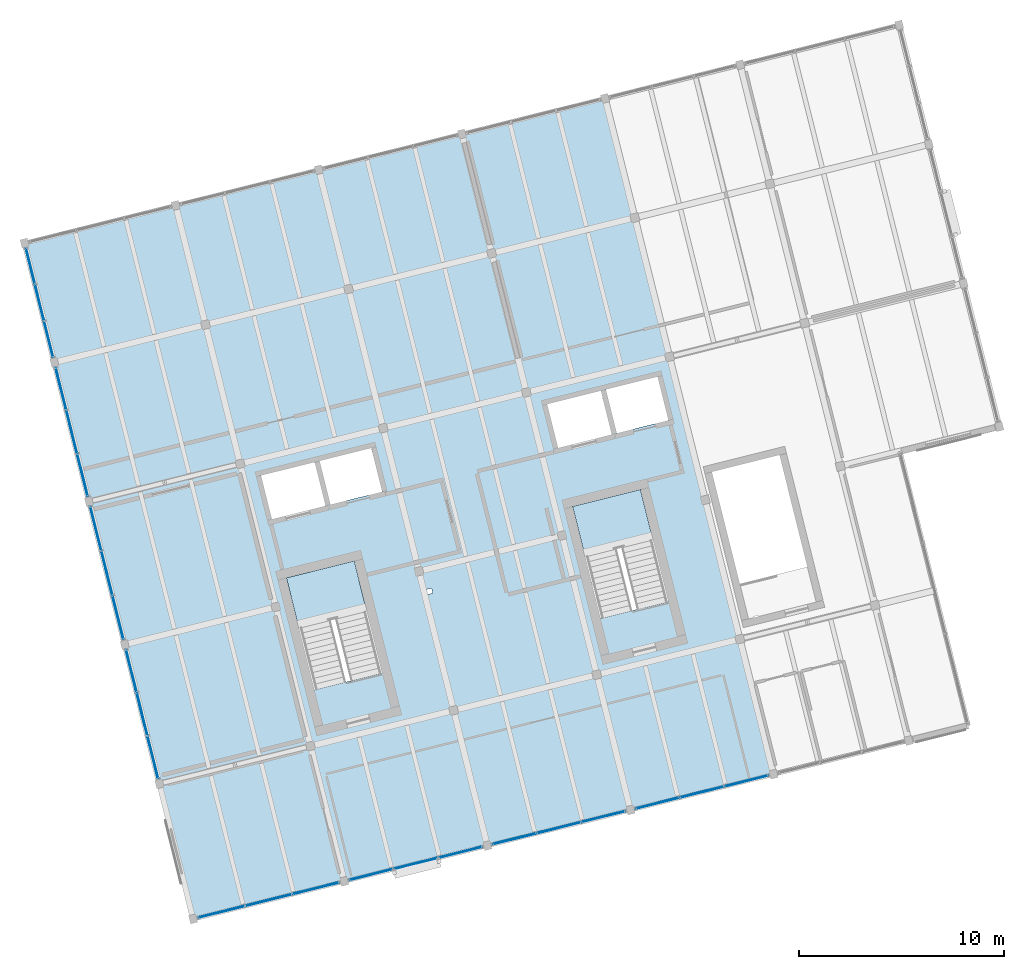
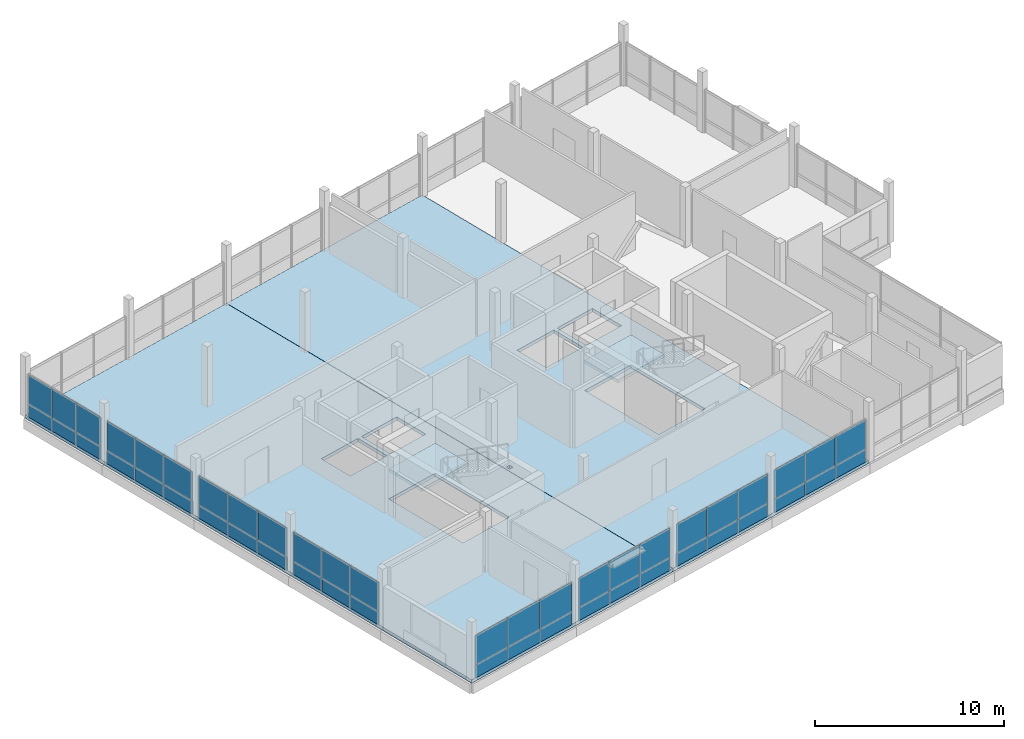
# One storey, part 23 of 28: 48 plates, 4 slabs, 10 elements without a shape of their own.
"""IFC4 building model written with IfcOpenShell, lengths in metres."""

from ifc_helpers import new_model, si_unit, direction, frame, origin, origin_2d, place, context, subcontext, project, spatial, polyline, rectangle, outline, extrude, material, layer, layer_set, type_object, element, aggregate, save


model = new_model("IFC4")

# Units and contexts
model_context = context("Model", 3, precision=1e-05, world=origin(), true_north=direction((0.0, 1.0)))
body_context = subcontext(model_context, "Body", "Model", "MODEL_VIEW")
ifc_project = project(units=[si_unit("LENGTHUNIT", "METRE"), si_unit("AREAUNIT", "SQUARE_METRE"), si_unit("VOLUMEUNIT", "CUBIC_METRE"), si_unit("PLANEANGLEUNIT", "RADIAN"), si_unit("MASSUNIT", "GRAM", prefix="KILO")], contexts=[model_context])

# Site, building, storey
site_placement = place(None, origin())
site = spatial("IfcSite", under=ifc_project, at=site_placement, CompositionType="ELEMENT")
building_placement = place(site_placement, origin())
building = spatial("IfcBuilding", under=site, at=building_placement, Name="Meriwether Solvik Hall", CompositionType="ELEMENT")
storey_placement = place(building_placement, frame((0.0, 0.0, 30.0)))
storey = spatial("IfcBuildingStorey", under=building, at=storey_placement, Name="L07", CompositionType="ELEMENT", Elevation=30.0)

# Curtain wall, plates
ifc_material_1 = material(Name="Thermally Broken Anodised Aluminium 6063-T6 and Low-E Glass", Category="aluminium")
ifc_layer_1 = layer(ifc_material_1, 0.179931640625)
ifc_layer_set_1 = layer_set([ifc_layer_1], Name="Thermally Broken Anodised Aluminium 6063-T6 and Low-E Glass")
curtain_wall_type_1 = type_object("IfcCurtainWallType", Name="CW-UNIT-A", PredefinedType="USERDEFINED", material=ifc_layer_set_1)
curtain_wall_1_placement = place(storey_placement, origin())
curtain_wall_1 = element("IfcCurtainWall", 1, at=curtain_wall_1_placement, inside=storey, type_object=curtain_wall_type_1, Name="Curtain Wall E0_B3 (L07)", ObjectType="UNITISED CURTAIN WALL", PredefinedType="USERDEFINED")
ifc_material_2 = material(Name="Low-Emissivity Double-Glazed Laminated Glass", Category="glass")
ifc_layer_2 = layer(ifc_material_2, 0.031982421875)
ifc_layer_set_2 = layer_set([ifc_layer_2], Name="Low-Emissivity Double-Glazed Laminated Glass")
plate_type_1 = type_object("IfcPlateType", Name="PLT-GLZ-180X185", PredefinedType="CURTAIN_PANEL", material=ifc_layer_set_2)
plate_1_placement = place(storey_placement, frame((95.606201171875, 47.933349609375, 0.8369140625), z_axis=(0.0, 0.0, 1.0), x_axis=(-0.970295703518, -0.241921986879, 0.0)))
plate_1 = element("IfcPlate", 2, at=plate_1_placement, type_object=plate_type_1, Name="Low-E Vision Glazing Panel 1", PredefinedType="CURTAIN_PANEL", context=body_context, shape_type="SweptSolid", body=[
    extrude(rectangle(XDim=2.2060546875, YDim=0.033935546875, at=origin_2d()), origin(), (0.0, 0.0, 1.0), 1.89306640625),
])
plate_2_placement = place(storey_placement, frame((93.439453125, 47.393310546875, 0.8369140625), z_axis=(0.0, 0.0, 1.0), x_axis=(-0.970295703518, -0.241921986879, 0.0)))
plate_2 = element("IfcPlate", 3, at=plate_2_placement, type_object=plate_type_1, Name="Low-E Vision Glazing Panel 2", PredefinedType="CURTAIN_PANEL", context=body_context, shape_type="SweptSolid", body=[
    extrude(rectangle(XDim=2.243896484375, YDim=0.033935546875, at=origin_2d()), origin(), (0.0, 0.0, 1.0), 1.89306640625),
])
plate_3_placement = place(storey_placement, frame((91.27294921875, 46.85302734375, 0.8369140625), z_axis=(0.0, 0.0, 1.0), x_axis=(-0.970295703518, -0.241921986879, 0.0)))
plate_3 = element("IfcPlate", 4, at=plate_3_placement, type_object=plate_type_1, Name="Low-E Vision Glazing Panel 3", PredefinedType="CURTAIN_PANEL", context=body_context, shape_type="SweptSolid", body=[
    extrude(rectangle(XDim=2.2060546875, YDim=0.033935546875, at=origin_2d()), origin(), (0.0, 0.0, 1.0), 1.89306640625),
])

ifc_material_3 = material(Name="Thermally Broken Anodised Aluminium 6063-T6 and Low-E Glass", Category="aluminium")
ifc_layer_3 = layer(ifc_material_3, 0.179931640625)
ifc_layer_set_3 = layer_set([ifc_layer_3], Name="Thermally Broken Anodised Aluminium 6063-T6 and Low-E Glass")
curtain_wall_type_2 = type_object("IfcCurtainWallType", Name="CW-UNIT-F", PredefinedType="USERDEFINED", material=ifc_layer_set_3)
curtain_wall_2_placement = place(storey_placement, origin())
curtain_wall_2 = element("IfcCurtainWall", 5, at=curtain_wall_2_placement, inside=storey, type_object=curtain_wall_type_2, Name="Curtain Wall E5_B3 (L07)", ObjectType="UNITISED CURTAIN WALL", PredefinedType="USERDEFINED")
plate_4_placement = place(storey_placement, frame((63.197021484375, 62.870361328125, 0.8369140625), z_axis=(0.0, 0.0, 1.0), x_axis=(-0.241921895312, 0.970295726348, 0.0)))
plate_4 = element("IfcPlate", 6, at=plate_4_placement, type_object=plate_type_1, Name="Low-E Vision Glazing Panel 1", PredefinedType="CURTAIN_PANEL", context=body_context, shape_type="SweptSolid", body=[
    extrude(rectangle(XDim=2.139404296875, YDim=0.033935546875, at=origin_2d()), origin(), (0.0, 0.0, 1.0), 1.89306640625),
])
plate_5_placement = place(storey_placement, frame((62.6728515625, 64.97216796875, 0.8369140625), z_axis=(0.0, 0.0, 1.0), x_axis=(-0.241921895312, 0.970295726348, 0.0)))
plate_5 = element("IfcPlate", 7, at=plate_5_placement, type_object=plate_type_1, Name="Low-E Vision Glazing Panel 2", PredefinedType="CURTAIN_PANEL", context=body_context, shape_type="SweptSolid", body=[
    extrude(rectangle(XDim=2.17724609375, YDim=0.033935546875, at=origin_2d()), origin(), (0.0, 0.0, 1.0), 1.89306640625),
])
plate_6_placement = place(storey_placement, frame((62.14892578125, 67.07421875, 0.8369140625), z_axis=(0.0, 0.0, 1.0), x_axis=(-0.241921895312, 0.970295726348, 0.0)))
plate_6 = element("IfcPlate", 8, at=plate_6_placement, type_object=plate_type_1, Name="Low-E Vision Glazing Panel 3", PredefinedType="CURTAIN_PANEL", context=body_context, shape_type="SweptSolid", body=[
    extrude(rectangle(XDim=2.139404296875, YDim=0.033935546875, at=origin_2d()), origin(), (0.0, 0.0, 1.0), 1.89306640625),
])

ifc_material_4 = material(Name="Thermally Broken Anodised Aluminium 6063-T6 and Low-E Glass", Category="aluminium")
ifc_layer_4 = layer(ifc_material_4, 0.179931640625)
ifc_layer_set_4 = layer_set([ifc_layer_4], Name="Thermally Broken Anodised Aluminium 6063-T6 and Low-E Glass")
curtain_wall_type_3 = type_object("IfcCurtainWallType", Name="CW-UNIT-G", PredefinedType="USERDEFINED", material=ifc_layer_set_4)
curtain_wall_3_placement = place(storey_placement, origin())
curtain_wall_3 = element("IfcCurtainWall", 9, at=curtain_wall_3_placement, inside=storey, type_object=curtain_wall_type_3, Name="Curtain Wall E0_B2 (L07)", ObjectType="UNITISED CURTAIN WALL", PredefinedType="USERDEFINED")
ifc_material_5 = material(Name="Low-Emissivity Double-Glazed Laminated Glass", Category="glass")
ifc_layer_5 = layer(ifc_material_5, 0.031982421875)
ifc_layer_set_5 = layer_set([ifc_layer_5], Name="Low-Emissivity Double-Glazed Laminated Glass")
plate_type_2 = type_object("IfcPlateType", Name="PLT-GLZ-195X185", PredefinedType="CURTAIN_PANEL", material=ifc_layer_set_5)
plate_7_placement = place(storey_placement, frame((88.6201171875, 46.191650390625, 0.8369140625), z_axis=(0.0, 0.0, 1.0), x_axis=(-0.970295738259, -0.241921847539, 0.0)))
plate_7 = element("IfcPlate", 10, at=plate_7_placement, type_object=plate_type_2, Name="Low-E Vision Glazing Panel 1", PredefinedType="CURTAIN_PANEL", context=body_context, shape_type="SweptSolid", body=[
    extrude(rectangle(XDim=2.2060546875, YDim=0.033935546875, at=origin_2d()), origin(), (0.0, 0.0, 1.0), 1.89306640625),
])
plate_8_placement = place(storey_placement, frame((86.453369140625, 45.6513671875, 0.8369140625), z_axis=(0.0, 0.0, 1.0), x_axis=(-0.970295738259, -0.241921847539, 0.0)))
plate_8 = element("IfcPlate", 11, at=plate_8_placement, type_object=plate_type_2, Name="Low-E Vision Glazing Panel 2", PredefinedType="CURTAIN_PANEL", context=body_context, shape_type="SweptSolid", body=[
    extrude(rectangle(XDim=2.243896484375, YDim=0.033935546875, at=origin_2d()), origin(), (0.0, 0.0, 1.0), 1.89306640625),
])
plate_9_placement = place(storey_placement, frame((84.286865234375, 45.111083984375, 0.8369140625), z_axis=(0.0, 0.0, 1.0), x_axis=(-0.970295738259, -0.241921847539, 0.0)))
plate_9 = element("IfcPlate", 12, at=plate_9_placement, type_object=plate_type_2, Name="Low-E Vision Glazing Panel 3", PredefinedType="CURTAIN_PANEL", context=body_context, shape_type="SweptSolid", body=[
    extrude(rectangle(XDim=2.2060546875, YDim=0.033935546875, at=origin_2d()), origin(), (0.0, 0.0, 1.0), 1.89306640625),
])

ifc_material_6 = material(Name="Thermally Broken Anodised Aluminium 6063-T6 and Low-E Glass", Category="aluminium")
ifc_layer_6 = layer(ifc_material_6, 0.179931640625)
ifc_layer_set_6 = layer_set([ifc_layer_6], Name="Thermally Broken Anodised Aluminium 6063-T6 and Low-E Glass")
curtain_wall_type_4 = type_object("IfcCurtainWallType", Name="CW-UNIT-E", PredefinedType="USERDEFINED", material=ifc_layer_set_6)
curtain_wall_4_placement = place(storey_placement, origin())
curtain_wall_4 = element("IfcCurtainWall", 13, at=curtain_wall_4_placement, inside=storey, type_object=curtain_wall_type_4, Name="Curtain Wall E5_B2 (L07)", ObjectType="UNITISED CURTAIN WALL", PredefinedType="USERDEFINED")
plate_10_placement = place(storey_placement, frame((64.9306640625, 55.91650390625, 0.8369140625), z_axis=(0.0, 0.0, 1.0), x_axis=(-0.241921847539, 0.970295738259, 0.0)))
plate_10 = element("IfcPlate", 14, at=plate_10_placement, type_object=plate_type_2, Name="Low-E Vision Glazing Panel 1", PredefinedType="CURTAIN_PANEL", context=body_context, shape_type="SweptSolid", body=[
    extrude(rectangle(XDim=2.2060546875, YDim=0.033935546875, at=origin_2d()), origin(), (0.0, 0.0, 1.0), 1.89306640625),
])
plate_11_placement = place(storey_placement, frame((64.390625, 58.083251953125, 0.8369140625), z_axis=(0.0, 0.0, 1.0), x_axis=(-0.241921847539, 0.970295738259, 0.0)))
plate_11 = element("IfcPlate", 15, at=plate_11_placement, type_object=plate_type_2, Name="Low-E Vision Glazing Panel 2", PredefinedType="CURTAIN_PANEL", context=body_context, shape_type="SweptSolid", body=[
    extrude(rectangle(XDim=2.243896484375, YDim=0.033935546875, at=origin_2d()), origin(), (0.0, 0.0, 1.0), 1.89306640625),
])
plate_12_placement = place(storey_placement, frame((63.850341796875, 60.249755859375, 0.8369140625), z_axis=(0.0, 0.0, 1.0), x_axis=(-0.241921847539, 0.970295738259, 0.0)))
plate_12 = element("IfcPlate", 16, at=plate_12_placement, type_object=plate_type_2, Name="Low-E Vision Glazing Panel 3", PredefinedType="CURTAIN_PANEL", context=body_context, shape_type="SweptSolid", body=[
    extrude(rectangle(XDim=2.2060546875, YDim=0.033935546875, at=origin_2d()), origin(), (0.0, 0.0, 1.0), 1.89306640625),
])

curtain_wall_5_placement = place(storey_placement, origin())
curtain_wall_5 = element("IfcCurtainWall", 17, at=curtain_wall_5_placement, inside=storey, type_object=curtain_wall_type_2, Name="Curtain Wall E0_B1 (L07)", ObjectType="UNITISED CURTAIN WALL", PredefinedType="USERDEFINED")
ifc_material_7 = material(Name="Low-Emissivity Double-Glazed Laminated Glass", Category="glass")
ifc_layer_7 = layer(ifc_material_7, 0.031982421875)
ifc_layer_set_7 = layer_set([ifc_layer_7], Name="Low-Emissivity Double-Glazed Laminated Glass")
plate_type_3 = type_object("IfcPlateType", Name="PLT-GLZ-210X195", PredefinedType="CURTAIN_PANEL", material=ifc_layer_set_7)
plate_13_placement = place(storey_placement, frame((81.634033203125, 44.44970703125, 0.8369140625), z_axis=(0.0, 0.0, 1.0), x_axis=(-0.970295738259, -0.241921847539, 0.0)))
plate_13 = element("IfcPlate", 18, at=plate_13_placement, type_object=plate_type_3, Name="Low-E Vision Glazing Panel 1", PredefinedType="CURTAIN_PANEL", context=body_context, shape_type="SweptSolid", body=[
    extrude(rectangle(XDim=2.2060546875, YDim=0.033935546875, at=origin_2d()), origin(), (0.0, 0.0, 1.0), 1.89306640625),
])
plate_14_placement = place(storey_placement, frame((79.46728515625, 43.909423828125, 0.8369140625), z_axis=(0.0, 0.0, 1.0), x_axis=(-0.970295738259, -0.241921847539, 0.0)))
plate_14 = element("IfcPlate", 19, at=plate_14_placement, type_object=plate_type_3, Name="Low-E Vision Glazing Panel 2", PredefinedType="CURTAIN_PANEL", context=body_context, shape_type="SweptSolid", body=[
    extrude(rectangle(XDim=2.243896484375, YDim=0.033935546875, at=origin_2d()), origin(), (0.0, 0.0, 1.0), 1.89306640625),
])
plate_15_placement = place(storey_placement, frame((77.300537109375, 43.369384765625, 0.8369140625), z_axis=(0.0, 0.0, 1.0), x_axis=(-0.970295738259, -0.241921847539, 0.0)))
plate_15 = element("IfcPlate", 20, at=plate_15_placement, type_object=plate_type_3, Name="Low-E Vision Glazing Panel 3", PredefinedType="CURTAIN_PANEL", context=body_context, shape_type="SweptSolid", body=[
    extrude(rectangle(XDim=2.2060546875, YDim=0.033935546875, at=origin_2d()), origin(), (0.0, 0.0, 1.0), 1.89306640625),
])

ifc_material_8 = material(Name="Thermally Broken Anodised Aluminium 6063-T6 and Low-E Glass", Category="aluminium")
ifc_layer_8 = layer(ifc_material_8, 0.179931640625)
ifc_layer_set_8 = layer_set([ifc_layer_8], Name="Thermally Broken Anodised Aluminium 6063-T6 and Low-E Glass")
curtain_wall_type_5 = type_object("IfcCurtainWallType", Name="CW-UNIT-D", PredefinedType="USERDEFINED", material=ifc_layer_set_8)
curtain_wall_6_placement = place(storey_placement, origin())
curtain_wall_6 = element("IfcCurtainWall", 21, at=curtain_wall_6_placement, inside=storey, type_object=curtain_wall_type_5, Name="Curtain Wall E5_B1 (L07)", ObjectType="UNITISED CURTAIN WALL", PredefinedType="USERDEFINED")
plate_16_placement = place(storey_placement, frame((66.63232421875, 49.092041015625, 0.8369140625), z_axis=(0.0, 0.0, 1.0), x_axis=(-0.241921787504, 0.970295753227, 0.0)))
plate_16 = element("IfcPlate", 22, at=plate_16_placement, type_object=plate_type_3, Name="Low-E Vision Glazing Panel 1", PredefinedType="CURTAIN_PANEL", context=body_context, shape_type="SweptSolid", body=[
    extrude(rectangle(XDim=2.139404296875, YDim=0.033935546875, at=origin_2d()), origin(), (0.0, 0.0, 1.0), 1.89306640625),
])
plate_17_placement = place(storey_placement, frame((66.108154296875, 51.194091796875, 0.8369140625), z_axis=(0.0, 0.0, 1.0), x_axis=(-0.241921787504, 0.970295753227, 0.0)))
plate_17 = element("IfcPlate", 23, at=plate_17_placement, type_object=plate_type_3, Name="Low-E Vision Glazing Panel 2", PredefinedType="CURTAIN_PANEL", context=body_context, shape_type="SweptSolid", body=[
    extrude(rectangle(XDim=2.17724609375, YDim=0.033935546875, at=origin_2d()), origin(), (0.0, 0.0, 1.0), 1.89306640625),
])
plate_18_placement = place(storey_placement, frame((65.584228515625, 53.296142578125, 0.8369140625), z_axis=(0.0, 0.0, 1.0), x_axis=(-0.241921787504, 0.970295753227, 0.0)))
plate_18 = element("IfcPlate", 24, at=plate_18_placement, type_object=plate_type_3, Name="Low-E Vision Glazing Panel 3", PredefinedType="CURTAIN_PANEL", context=body_context, shape_type="SweptSolid", body=[
    extrude(rectangle(XDim=2.139404296875, YDim=0.033935546875, at=origin_2d()), origin(), (0.0, 0.0, 1.0), 1.89306640625),
])

curtain_wall_7_placement = place(storey_placement, origin())
curtain_wall_7 = element("IfcCurtainWall", 25, at=curtain_wall_7_placement, inside=storey, type_object=curtain_wall_type_4, Name="Curtain Wall E0_B0 (L07)", ObjectType="UNITISED CURTAIN WALL", PredefinedType="USERDEFINED")
ifc_material_9 = material(Name="Low-Emissivity Double-Glazed Laminated Glass", Category="glass")
ifc_layer_9 = layer(ifc_material_9, 0.031982421875)
ifc_layer_set_9 = layer_set([ifc_layer_9], Name="Low-Emissivity Double-Glazed Laminated Glass")
plate_type_4 = type_object("IfcPlateType", Name="PLT-GLZ-225X195", PredefinedType="CURTAIN_PANEL", material=ifc_layer_set_9)
plate_19_placement = place(storey_placement, frame((74.583251953125, 42.691650390625, 0.8369140625), z_axis=(0.0, 0.0, 1.0), x_axis=(-0.970295727285, -0.241921891552, 0.0)))
plate_19 = element("IfcPlate", 26, at=plate_19_placement, type_object=plate_type_4, Name="Low-E Vision Glazing Panel 1", PredefinedType="CURTAIN_PANEL", context=body_context, shape_type="SweptSolid", body=[
    extrude(rectangle(XDim=2.33935546875, YDim=0.033935546875, at=origin_2d()), origin(), (0.0, 0.0, 1.0), 1.89306640625),
])
plate_20_placement = place(storey_placement, frame((72.287109375, 42.119384765625, 0.8369140625), z_axis=(0.0, 0.0, 1.0), x_axis=(-0.970295727285, -0.241921891552, 0.0)))
plate_20 = element("IfcPlate", 27, at=plate_20_placement, type_object=plate_type_4, Name="Low-E Vision Glazing Panel 2", PredefinedType="CURTAIN_PANEL", context=body_context, shape_type="SweptSolid", body=[
    extrude(rectangle(XDim=2.377197265625, YDim=0.033935546875, at=origin_2d()), origin(), (0.0, 0.0, 1.0), 1.89306640625),
])
plate_21_placement = place(storey_placement, frame((69.990966796875, 41.546875, 0.8369140625), z_axis=(0.0, 0.0, 1.0), x_axis=(-0.970295727285, -0.241921891552, 0.0)))
plate_21 = element("IfcPlate", 28, at=plate_21_placement, type_object=plate_type_4, Name="Low-E Vision Glazing Panel 3", PredefinedType="CURTAIN_PANEL", context=body_context, shape_type="SweptSolid", body=[
    extrude(rectangle(XDim=2.33935546875, YDim=0.033935546875, at=origin_2d()), origin(), (0.0, 0.0, 1.0), 1.89306640625),
])

curtain_wall_8_placement = place(storey_placement, origin())
curtain_wall_8 = element("IfcCurtainWall", 29, at=curtain_wall_8_placement, inside=storey, type_object=curtain_wall_type_3, Name="Curtain Wall E5_B4 (L07)", ObjectType="UNITISED CURTAIN WALL", PredefinedType="USERDEFINED")
plate_22_placement = place(storey_placement, frame((61.5439453125, 69.50048828125, 0.8369140625), z_axis=(0.0, 0.0, 1.0), x_axis=(-0.241921889131, 0.970295727889, 0.0)))
plate_22 = element("IfcPlate", 30, at=plate_22_placement, type_object=plate_type_4, Name="Low-E Vision Glazing Panel 1", PredefinedType="CURTAIN_PANEL", context=body_context, shape_type="SweptSolid", body=[
    extrude(rectangle(XDim=1.805908203125, YDim=0.033935546875, at=origin_2d()), origin(), (0.0, 0.0, 1.0), 1.89306640625),
])
plate_23_placement = place(storey_placement, frame((61.100341796875, 71.279052734375, 0.8369140625), z_axis=(0.0, 0.0, 1.0), x_axis=(-0.241921889131, 0.970295727889, 0.0)))
plate_23 = element("IfcPlate", 31, at=plate_23_placement, type_object=plate_type_4, Name="Low-E Vision Glazing Panel 2", PredefinedType="CURTAIN_PANEL", context=body_context, shape_type="SweptSolid", body=[
    extrude(rectangle(XDim=1.843994140625, YDim=0.033935546875, at=origin_2d()), origin(), (0.0, 0.0, 1.0), 1.89306640625),
])
plate_24_placement = place(storey_placement, frame((60.656982421875, 73.0576171875, 0.8369140625), z_axis=(0.0, 0.0, 1.0), x_axis=(-0.241921889131, 0.970295727889, 0.0)))
plate_24 = element("IfcPlate", 32, at=plate_24_placement, type_object=plate_type_4, Name="Low-E Vision Glazing Panel 3", PredefinedType="CURTAIN_PANEL", context=body_context, shape_type="SweptSolid", body=[
    extrude(rectangle(XDim=1.805908203125, YDim=0.033935546875, at=origin_2d()), origin(), (0.0, 0.0, 1.0), 1.89306640625),
])

# Plate
ifc_material_10 = material(Name="Mineral-Wool Insulated Anodised Aluminium 6063-T6", Category="aluminium")
ifc_layer_10 = layer(ifc_material_10, 0.044921875)
ifc_layer_set_10 = layer_set([ifc_layer_10], Name="Mineral-Wool Insulated Anodised Aluminium 6063-T6")
plate_type_5 = type_object("IfcPlateType", Name="PLT-SPN-225X085", PredefinedType="CURTAIN_PANEL", material=ifc_layer_set_10)
plate_25_placement = place(storey_placement, frame((74.583251953125, 42.691650390625, 0.0), z_axis=(0.0, 0.0, 1.0), x_axis=(-0.970295727285, -0.241921891552, 0.0)))
plate_25 = element("IfcPlate", 33, at=plate_25_placement, type_object=plate_type_5, Name="Insulated Spandrel Panel 1", PredefinedType="CURTAIN_PANEL", context=body_context, shape_type="SweptSolid", body=[
    extrude(rectangle(XDim=2.33935546875, YDim=0.044921875, at=origin_2d()), origin(), (0.0, 0.0, 1.0), 0.8369140625),
])

plate_26_placement = place(storey_placement, frame((72.287109375, 42.119384765625, 0.0), z_axis=(0.0, 0.0, 1.0), x_axis=(-0.970295727285, -0.241921891552, 0.0)))
plate_26 = element("IfcPlate", 34, at=plate_26_placement, type_object=plate_type_5, Name="Insulated Spandrel Panel 2", PredefinedType="CURTAIN_PANEL", context=body_context, shape_type="SweptSolid", body=[
    extrude(rectangle(XDim=2.377197265625, YDim=0.044921875, at=origin_2d()), origin(), (0.0, 0.0, 1.0), 0.8369140625),
])

plate_27_placement = place(storey_placement, frame((69.990966796875, 41.546875, 0.0), z_axis=(0.0, 0.0, 1.0), x_axis=(-0.970295727285, -0.241921891552, 0.0)))
plate_27 = element("IfcPlate", 35, at=plate_27_placement, type_object=plate_type_5, Name="Insulated Spandrel Panel 3", PredefinedType="CURTAIN_PANEL", context=body_context, shape_type="SweptSolid", body=[
    extrude(rectangle(XDim=2.33935546875, YDim=0.044921875, at=origin_2d()), origin(), (0.0, 0.0, 1.0), 0.8369140625),
])

aggregate(curtain_wall_7, [plate_25, plate_19, plate_26, plate_20, plate_27, plate_21])

plate_28_placement = place(storey_placement, frame((81.634033203125, 44.44970703125, 0.0), z_axis=(0.0, 0.0, 1.0), x_axis=(-0.970295738259, -0.241921847539, 0.0)))
plate_28 = element("IfcPlate", 36, at=plate_28_placement, type_object=plate_type_5, Name="Insulated Spandrel Panel 1", PredefinedType="CURTAIN_PANEL", context=body_context, shape_type="SweptSolid", body=[
    extrude(rectangle(XDim=2.2060546875, YDim=0.044921875, at=origin_2d()), origin(), (0.0, 0.0, 1.0), 0.8369140625),
])

plate_29_placement = place(storey_placement, frame((79.46728515625, 43.909423828125, 0.0), z_axis=(0.0, 0.0, 1.0), x_axis=(-0.970295738259, -0.241921847539, 0.0)))
plate_29 = element("IfcPlate", 37, at=plate_29_placement, type_object=plate_type_5, Name="Insulated Spandrel Panel 2", PredefinedType="CURTAIN_PANEL", context=body_context, shape_type="SweptSolid", body=[
    extrude(rectangle(XDim=2.243896484375, YDim=0.044921875, at=origin_2d()), origin(), (0.0, 0.0, 1.0), 0.8369140625),
])

plate_30_placement = place(storey_placement, frame((77.300537109375, 43.369384765625, 0.0), z_axis=(0.0, 0.0, 1.0), x_axis=(-0.970295738259, -0.241921847539, 0.0)))
plate_30 = element("IfcPlate", 38, at=plate_30_placement, type_object=plate_type_5, Name="Insulated Spandrel Panel 3", PredefinedType="CURTAIN_PANEL", context=body_context, shape_type="SweptSolid", body=[
    extrude(rectangle(XDim=2.2060546875, YDim=0.044921875, at=origin_2d()), origin(), (0.0, 0.0, 1.0), 0.8369140625),
])

aggregate(curtain_wall_5, [plate_28, plate_13, plate_29, plate_14, plate_30, plate_15])

plate_31_placement = place(storey_placement, frame((88.6201171875, 46.191650390625, 0.0), z_axis=(0.0, 0.0, 1.0), x_axis=(-0.970295738259, -0.241921847539, 0.0)))
plate_31 = element("IfcPlate", 39, at=plate_31_placement, type_object=plate_type_5, Name="Insulated Spandrel Panel 1", PredefinedType="CURTAIN_PANEL", context=body_context, shape_type="SweptSolid", body=[
    extrude(rectangle(XDim=2.2060546875, YDim=0.044921875, at=origin_2d()), origin(), (0.0, 0.0, 1.0), 0.8369140625),
])

plate_32_placement = place(storey_placement, frame((86.453369140625, 45.6513671875, 0.0), z_axis=(0.0, 0.0, 1.0), x_axis=(-0.970295738259, -0.241921847539, 0.0)))
plate_32 = element("IfcPlate", 40, at=plate_32_placement, type_object=plate_type_5, Name="Insulated Spandrel Panel 2", PredefinedType="CURTAIN_PANEL", context=body_context, shape_type="SweptSolid", body=[
    extrude(rectangle(XDim=2.243896484375, YDim=0.044921875, at=origin_2d()), origin(), (0.0, 0.0, 1.0), 0.8369140625),
])

plate_33_placement = place(storey_placement, frame((84.286865234375, 45.111083984375, 0.0), z_axis=(0.0, 0.0, 1.0), x_axis=(-0.970295738259, -0.241921847539, 0.0)))
plate_33 = element("IfcPlate", 41, at=plate_33_placement, type_object=plate_type_5, Name="Insulated Spandrel Panel 3", PredefinedType="CURTAIN_PANEL", context=body_context, shape_type="SweptSolid", body=[
    extrude(rectangle(XDim=2.2060546875, YDim=0.044921875, at=origin_2d()), origin(), (0.0, 0.0, 1.0), 0.8369140625),
])

aggregate(curtain_wall_3, [plate_31, plate_7, plate_32, plate_8, plate_33, plate_9])

plate_34_placement = place(storey_placement, frame((95.606201171875, 47.933349609375, 0.0), z_axis=(0.0, 0.0, 1.0), x_axis=(-0.970295703518, -0.241921986879, 0.0)))
plate_34 = element("IfcPlate", 42, at=plate_34_placement, type_object=plate_type_5, Name="Insulated Spandrel Panel 1", PredefinedType="CURTAIN_PANEL", context=body_context, shape_type="SweptSolid", body=[
    extrude(rectangle(XDim=2.2060546875, YDim=0.044921875, at=origin_2d()), origin(), (0.0, 0.0, 1.0), 0.8369140625),
])

plate_35_placement = place(storey_placement, frame((93.439453125, 47.393310546875, 0.0), z_axis=(0.0, 0.0, 1.0), x_axis=(-0.970295703518, -0.241921986879, 0.0)))
plate_35 = element("IfcPlate", 43, at=plate_35_placement, type_object=plate_type_5, Name="Insulated Spandrel Panel 2", PredefinedType="CURTAIN_PANEL", context=body_context, shape_type="SweptSolid", body=[
    extrude(rectangle(XDim=2.243896484375, YDim=0.044921875, at=origin_2d()), origin(), (0.0, 0.0, 1.0), 0.8369140625),
])

plate_36_placement = place(storey_placement, frame((91.27294921875, 46.85302734375, 0.0), z_axis=(0.0, 0.0, 1.0), x_axis=(-0.970295703518, -0.241921986879, 0.0)))
plate_36 = element("IfcPlate", 44, at=plate_36_placement, type_object=plate_type_5, Name="Insulated Spandrel Panel 3", PredefinedType="CURTAIN_PANEL", context=body_context, shape_type="SweptSolid", body=[
    extrude(rectangle(XDim=2.2060546875, YDim=0.044921875, at=origin_2d()), origin(), (0.0, 0.0, 1.0), 0.8369140625),
])

aggregate(curtain_wall_1, [plate_34, plate_1, plate_35, plate_2, plate_36, plate_3])

plate_37_placement = place(storey_placement, frame((66.63232421875, 49.092041015625, 0.0), z_axis=(0.0, 0.0, 1.0), x_axis=(-0.241921787504, 0.970295753227, 0.0)))
plate_37 = element("IfcPlate", 45, at=plate_37_placement, type_object=plate_type_5, Name="Insulated Spandrel Panel 1", PredefinedType="CURTAIN_PANEL", context=body_context, shape_type="SweptSolid", body=[
    extrude(rectangle(XDim=2.139404296875, YDim=0.044921875, at=origin_2d()), origin(), (0.0, 0.0, 1.0), 0.8369140625),
])

plate_38_placement = place(storey_placement, frame((66.108154296875, 51.194091796875, 0.0), z_axis=(0.0, 0.0, 1.0), x_axis=(-0.241921787504, 0.970295753227, 0.0)))
plate_38 = element("IfcPlate", 46, at=plate_38_placement, type_object=plate_type_5, Name="Insulated Spandrel Panel 2", PredefinedType="CURTAIN_PANEL", context=body_context, shape_type="SweptSolid", body=[
    extrude(rectangle(XDim=2.17724609375, YDim=0.044921875, at=origin_2d()), origin(), (0.0, 0.0, 1.0), 0.8369140625),
])

plate_39_placement = place(storey_placement, frame((65.584228515625, 53.296142578125, 0.0), z_axis=(0.0, 0.0, 1.0), x_axis=(-0.241921787504, 0.970295753227, 0.0)))
plate_39 = element("IfcPlate", 47, at=plate_39_placement, type_object=plate_type_5, Name="Insulated Spandrel Panel 3", PredefinedType="CURTAIN_PANEL", context=body_context, shape_type="SweptSolid", body=[
    extrude(rectangle(XDim=2.139404296875, YDim=0.044921875, at=origin_2d()), origin(), (0.0, 0.0, 1.0), 0.8369140625),
])

aggregate(curtain_wall_6, [plate_37, plate_16, plate_38, plate_17, plate_39, plate_18])

plate_40_placement = place(storey_placement, frame((64.9306640625, 55.91650390625, 0.0), z_axis=(0.0, 0.0, 1.0), x_axis=(-0.241921847539, 0.970295738259, 0.0)))
plate_40 = element("IfcPlate", 48, at=plate_40_placement, type_object=plate_type_5, Name="Insulated Spandrel Panel 1", PredefinedType="CURTAIN_PANEL", context=body_context, shape_type="SweptSolid", body=[
    extrude(rectangle(XDim=2.2060546875, YDim=0.044921875, at=origin_2d()), origin(), (0.0, 0.0, 1.0), 0.8369140625),
])

plate_41_placement = place(storey_placement, frame((64.390625, 58.083251953125, 0.0), z_axis=(0.0, 0.0, 1.0), x_axis=(-0.241921847539, 0.970295738259, 0.0)))
plate_41 = element("IfcPlate", 49, at=plate_41_placement, type_object=plate_type_5, Name="Insulated Spandrel Panel 2", PredefinedType="CURTAIN_PANEL", context=body_context, shape_type="SweptSolid", body=[
    extrude(rectangle(XDim=2.243896484375, YDim=0.044921875, at=origin_2d()), origin(), (0.0, 0.0, 1.0), 0.8369140625),
])

plate_42_placement = place(storey_placement, frame((63.850341796875, 60.249755859375, 0.0), z_axis=(0.0, 0.0, 1.0), x_axis=(-0.241921847539, 0.970295738259, 0.0)))
plate_42 = element("IfcPlate", 50, at=plate_42_placement, type_object=plate_type_5, Name="Insulated Spandrel Panel 3", PredefinedType="CURTAIN_PANEL", context=body_context, shape_type="SweptSolid", body=[
    extrude(rectangle(XDim=2.2060546875, YDim=0.044921875, at=origin_2d()), origin(), (0.0, 0.0, 1.0), 0.8369140625),
])

aggregate(curtain_wall_4, [plate_40, plate_10, plate_41, plate_11, plate_42, plate_12])

plate_43_placement = place(storey_placement, frame((63.197021484375, 62.870361328125, 0.0), z_axis=(0.0, 0.0, 1.0), x_axis=(-0.241921895312, 0.970295726348, 0.0)))
plate_43 = element("IfcPlate", 51, at=plate_43_placement, type_object=plate_type_5, Name="Insulated Spandrel Panel 1", PredefinedType="CURTAIN_PANEL", context=body_context, shape_type="SweptSolid", body=[
    extrude(rectangle(XDim=2.139404296875, YDim=0.044921875, at=origin_2d()), origin(), (0.0, 0.0, 1.0), 0.8369140625),
])

plate_44_placement = place(storey_placement, frame((62.6728515625, 64.97216796875, 0.0), z_axis=(0.0, 0.0, 1.0), x_axis=(-0.241921895312, 0.970295726348, 0.0)))
plate_44 = element("IfcPlate", 52, at=plate_44_placement, type_object=plate_type_5, Name="Insulated Spandrel Panel 2", PredefinedType="CURTAIN_PANEL", context=body_context, shape_type="SweptSolid", body=[
    extrude(rectangle(XDim=2.17724609375, YDim=0.044921875, at=origin_2d()), origin(), (0.0, 0.0, 1.0), 0.8369140625),
])

plate_45_placement = place(storey_placement, frame((62.14892578125, 67.07421875, 0.0), z_axis=(0.0, 0.0, 1.0), x_axis=(-0.241921895312, 0.970295726348, 0.0)))
plate_45 = element("IfcPlate", 53, at=plate_45_placement, type_object=plate_type_5, Name="Insulated Spandrel Panel 3", PredefinedType="CURTAIN_PANEL", context=body_context, shape_type="SweptSolid", body=[
    extrude(rectangle(XDim=2.139404296875, YDim=0.044921875, at=origin_2d()), origin(), (0.0, 0.0, 1.0), 0.8369140625),
])

aggregate(curtain_wall_2, [plate_43, plate_4, plate_44, plate_5, plate_45, plate_6])

plate_46_placement = place(storey_placement, frame((61.5439453125, 69.50048828125, 0.0), z_axis=(0.0, 0.0, 1.0), x_axis=(-0.241921889131, 0.970295727889, 0.0)))
plate_46 = element("IfcPlate", 54, at=plate_46_placement, type_object=plate_type_5, Name="Insulated Spandrel Panel 1", PredefinedType="CURTAIN_PANEL", context=body_context, shape_type="SweptSolid", body=[
    extrude(rectangle(XDim=1.805908203125, YDim=0.044921875, at=origin_2d()), origin(), (0.0, 0.0, 1.0), 0.8369140625),
])

plate_47_placement = place(storey_placement, frame((61.100341796875, 71.279052734375, 0.0), z_axis=(0.0, 0.0, 1.0), x_axis=(-0.241921889131, 0.970295727889, 0.0)))
plate_47 = element("IfcPlate", 55, at=plate_47_placement, type_object=plate_type_5, Name="Insulated Spandrel Panel 2", PredefinedType="CURTAIN_PANEL", context=body_context, shape_type="SweptSolid", body=[
    extrude(rectangle(XDim=1.843994140625, YDim=0.044921875, at=origin_2d()), origin(), (0.0, 0.0, 1.0), 0.8369140625),
])

plate_48_placement = place(storey_placement, frame((60.656982421875, 73.0576171875, 0.0), z_axis=(0.0, 0.0, 1.0), x_axis=(-0.241921889131, 0.970295727889, 0.0)))
plate_48 = element("IfcPlate", 56, at=plate_48_placement, type_object=plate_type_5, Name="Insulated Spandrel Panel 3", PredefinedType="CURTAIN_PANEL", context=body_context, shape_type="SweptSolid", body=[
    extrude(rectangle(XDim=1.805908203125, YDim=0.044921875, at=origin_2d()), origin(), (0.0, 0.0, 1.0), 0.8369140625),
])

aggregate(curtain_wall_8, [plate_46, plate_22, plate_47, plate_23, plate_48, plate_24])

# Slabs
ifc_material_11 = material(Name="Cross-Laminated Timber PRG 320 E1", Category="wood")
ifc_layer_11 = layer(ifc_material_11, 0.219970703125)
ifc_layer_set_11 = layer_set([ifc_layer_11], Name="Cross-Laminated Timber PRG 320 E1")
slab_type_1 = type_object("IfcSlabType", Name="SLB-CLT-220", PredefinedType="FLOOR", material=ifc_layer_set_11)
slab_1_placement = place(storey_placement, frame((0.0, 0.0, -0.219970703125)))
element("IfcSlab", 57, at=slab_1_placement, inside=storey, type_object=slab_type_1, Name="L07 Mass-Timber CLT Floor W", PredefinedType="FLOOR", context=body_context, shape_type="SweptSolid", body=[
    extrude(outline(polyline([(74.732177734375, 77.769775390625), (82.95751953125, 44.77978515625), (68.60009765625, 41.199951171875), (60.374755859375, 74.18994140625), (74.732177734375, 77.769775390625)]), holes=[polyline([(73.157958984375, 57.84716796875), (74.5205078125, 52.382568359375), (77.819580078125, 53.205078125), (76.45703125, 58.669677734375), (73.157958984375, 57.84716796875)]), polyline([(71.912109375, 62.84423828125), (72.4443359375, 60.70947265625), (75.064208984375, 61.36279296875), (74.531982421875, 63.497314453125), (71.912109375, 62.84423828125)]), polyline([(74.774658203125, 63.557861328125), (75.306884765625, 61.42333984375), (77.82958984375, 62.05224609375), (77.29736328125, 64.186767578125), (74.774658203125, 63.557861328125)])]), origin(), (0.0, 0.0, 1.0), 0.219970703125),
])
slab_2_placement = place(storey_placement, frame((0.0, 0.0, -0.219970703125)))
element("IfcSlab", 58, at=slab_2_placement, inside=storey, type_object=slab_type_1, Name="L07 Mass-Timber CLT Floor C", PredefinedType="FLOOR", context=body_context, shape_type="SweptSolid", body=[
    extrude(outline(polyline([(88.704345703125, 81.25341796875), (96.9296875, 48.263427734375), (82.96337890625, 44.78125), (74.738037109375, 77.771240234375), (88.704345703125, 81.25341796875)]), holes=[polyline([(79.997314453125, 57.284912109375), (80.0576171875, 57.04248046875), (80.30029296875, 57.10302734375), (80.23974609375, 57.345458984375), (79.997314453125, 57.284912109375)]), polyline([(87.13037109375, 61.330810546875), (88.492919921875, 55.8662109375), (91.791748046875, 56.688720703125), (90.429443359375, 62.1533203125), (87.13037109375, 61.330810546875)]), polyline([(88.504150390625, 66.981201171875), (85.884521484375, 66.327880859375), (86.416748046875, 64.193359375), (89.036376953125, 64.846435546875), (88.504150390625, 66.981201171875)]), polyline([(91.26953125, 67.670654296875), (88.746826171875, 67.04150390625), (89.279052734375, 64.906982421875), (91.8017578125, 65.535888671875), (91.26953125, 67.670654296875)])]), origin(), (0.0, 0.0, 1.0), 0.219970703125),
])

# Stair, slab
ifc_material_12 = material(Name="Concrete C40/50", Category="concrete")
stair_type = type_object("IfcStairType", Name="STR-CORE-DOGLEG-A", PredefinedType="TWO_STRAIGHT_RUN_STAIR", material=ifc_material_12)
stair_1_placement = place(storey_placement, origin())
stair_1 = element("IfcStair", 59, at=stair_1_placement, inside=storey, type_object=stair_type, Name="Exit Stair ST-01 (L07)", PredefinedType="TWO_STRAIGHT_RUN_STAIR")
ifc_material_13 = material(Name="Concrete C40/50", Category="concrete")
ifc_layer_12 = layer(ifc_material_13, 0.199951171875)
ifc_layer_set_12 = layer_set([ifc_layer_12], Name="Concrete C40/50")
slab_type_2 = type_object("IfcSlabType", Name="SLB-LND-200", PredefinedType="LANDING", material=ifc_layer_set_12)
slab_3_placement = place(storey_placement, frame((0.0, 0.0, 1.75)))
slab_3 = element("IfcSlab", 60, at=slab_3_placement, type_object=slab_type_2, Name="Stair ST-01 Half Landing (L07)", PredefinedType="LANDING", context=body_context, shape_type="SweptSolid", body=[
    extrude(outline(polyline([(73.76611328125, 55.38818359375), (77.07470703125, 56.213134765625), (76.460693359375, 58.67578125), (73.152099609375, 57.850830078125), (73.76611328125, 55.38818359375)])), origin(), (0.0, 0.0, 1.0), 0.199951171875),
])
aggregate(stair_1, [slab_3])

stair_2_placement = place(storey_placement, origin())
stair_2 = element("IfcStair", 61, at=stair_2_placement, inside=storey, type_object=stair_type, Name="Exit Stair ST-02 (L07)", PredefinedType="TWO_STRAIGHT_RUN_STAIR")
slab_4_placement = place(storey_placement, frame((0.0, 0.0, 1.75)))
slab_4 = element("IfcSlab", 62, at=slab_4_placement, type_object=slab_type_2, Name="Stair ST-02 Half Landing (L07)", PredefinedType="LANDING", context=body_context, shape_type="SweptSolid", body=[
    extrude(outline(polyline([(87.73828125, 58.871826171875), (91.046875, 59.69677734375), (90.432861328125, 62.159423828125), (87.124267578125, 61.33447265625), (87.73828125, 58.871826171875)])), origin(), (0.0, 0.0, 1.0), 0.199951171875),
])
aggregate(stair_2, [slab_4])

save(model, "model.ifc")
